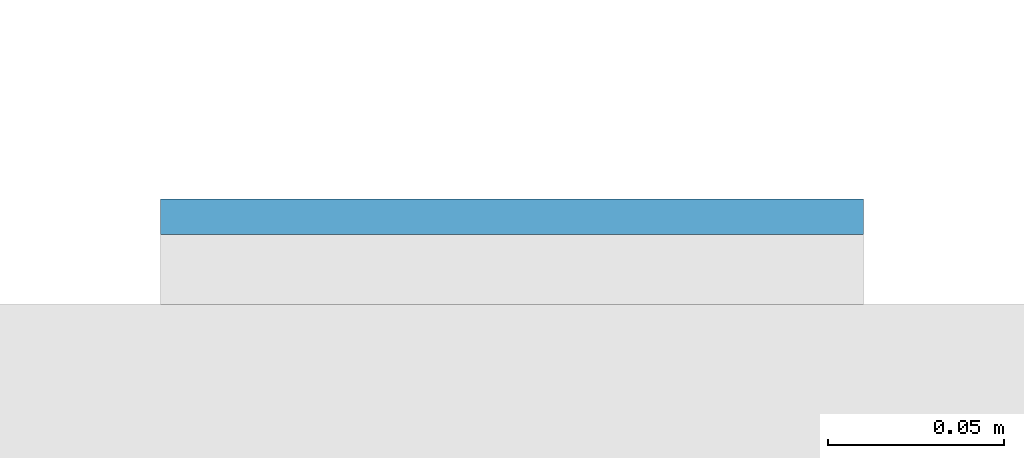
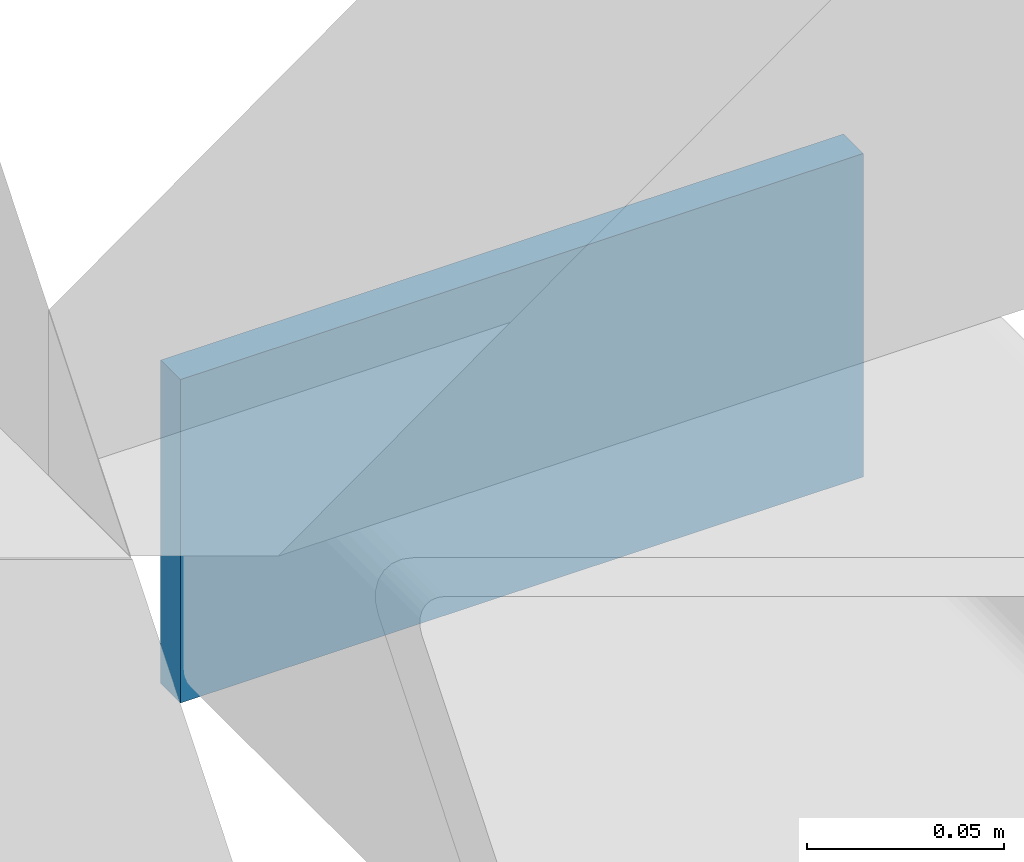
# One storey, part 11 of 20: 1 plate.
"""IFC4 building model written with IfcOpenShell, lengths in metres."""

from ifc_helpers import new_model, si_unit, direction, frame, origin, origin_2d, place, context, subcontext, project, spatial, rectangle, extrude, material, layer, layer_set, type_object, element, save


model = new_model("IFC4")

# Units and contexts
model_context = context("Model", 3, precision=1e-05, world=origin(), true_north=direction((0.0, 1.0)))
body_context = subcontext(model_context, "Body", "Model", "MODEL_VIEW")
ifc_project = project(units=[si_unit("LENGTHUNIT", "METRE"), si_unit("AREAUNIT", "SQUARE_METRE"), si_unit("VOLUMEUNIT", "CUBIC_METRE"), si_unit("PLANEANGLEUNIT", "RADIAN"), si_unit("MASSUNIT", "GRAM", prefix="KILO")], contexts=[model_context])

# Site, building, storey
site_placement = place(None, origin())
site = spatial("IfcSite", under=ifc_project, at=site_placement, CompositionType="ELEMENT")
building_placement = place(site_placement, origin())
building = spatial("IfcBuilding", under=site, at=building_placement, Name="Cleftline Residences", CompositionType="ELEMENT")
storey_placement = place(building_placement, frame((0.0, 0.0, 110.60009765625)))
storey = spatial("IfcBuildingStorey", under=building, at=storey_placement, Name="L28", CompositionType="ELEMENT", Elevation=110.60009765625)

# Plate
ifc_material = material(Name="Steel S355, hot-dip galvanised", Category="steel")
ifc_layer = layer(ifc_material, 0.010009765625)
ifc_layer_set = layer_set([ifc_layer], Name="BAGUETTE CARRIER END PLATE 200X100X10")
plate_type = type_object("IfcPlateType", Name="BAGUETTE CARRIER END PLATE 200X100X10", PredefinedType="USERDEFINED", material=ifc_layer_set)
plate_placement = place(storey_placement, frame((66.85009765625, 44.304931640625, -0.10009765625), z_axis=(0.0, 0.0, 1.0), x_axis=(1.0, 0.0, 0.0)))
element("IfcPlate", 1, at=plate_placement, inside=storey, type_object=plate_type, Name="Baguette carrier end plate", ObjectType="BAGUETTE CARRIER END PLATE", PredefinedType="USERDEFINED", context=body_context, shape_type="SweptSolid", body=[
    extrude(rectangle(XDim=0.199951171875, YDim=0.010009765625, at=origin_2d()), origin(), (0.0, 0.0, 1.0), 0.10009765625),
])

save(model, "model.ifc")
